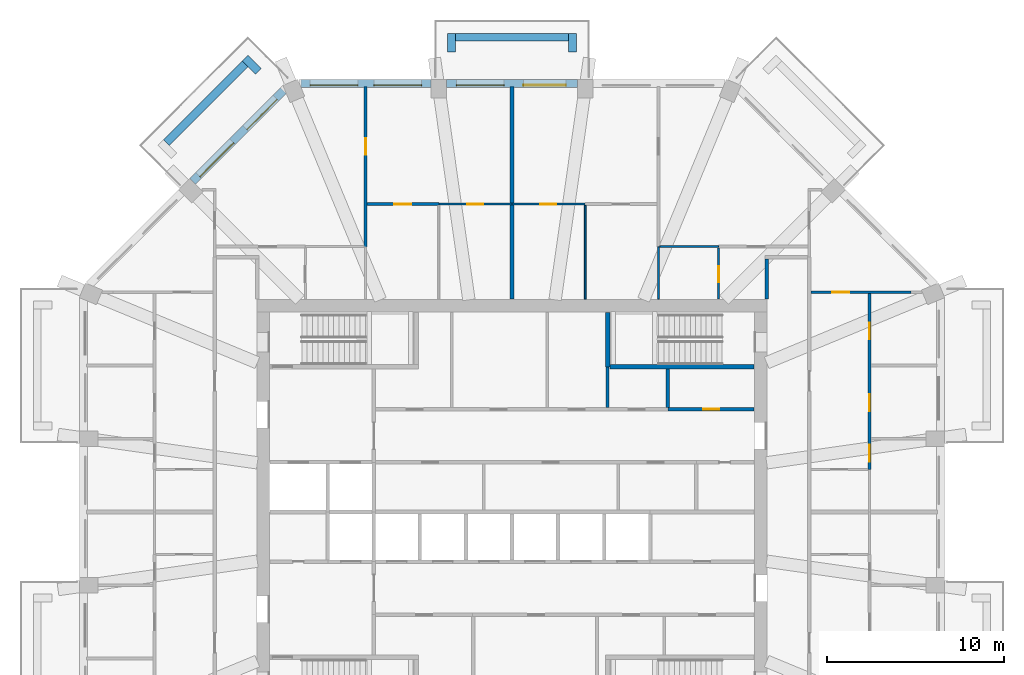
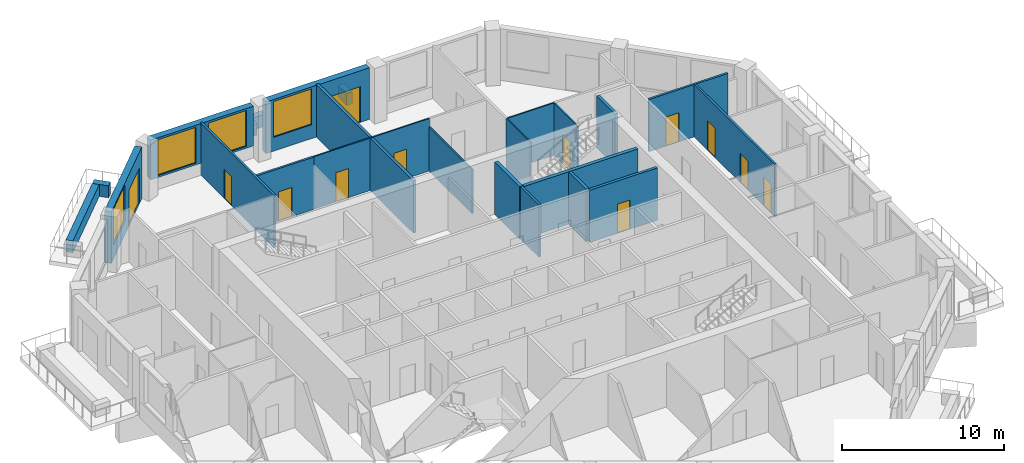
# One storey, part 8 of 12: 25 walls, 12 doors, 4 windows, 16 openings.
"""IFC4 building model written with IfcOpenShell, lengths in metres."""

import ifcopenshell
import ifcopenshell.guid

model = None  # the IFC model being written
_history = None  # IfcOwnerHistory: only IFC2X3 demands one
_inside = {}  # id of a spatial element -> (the spatial element, [elements in it])
_under = {}  # id of a project, library or spatial element -> (it, [spatial elements below it])
_declared = {}  # id of a project -> (the project, [libraries it declares])
_typed = {}  # id of a type object -> (the type object, [elements of that type])
_made_of = {}  # id of a material, layer set ... -> (it, [elements and type objects made of it])


def new_model(schema):
    """Start an empty IFC model of exactly this schema.

    Asked for "IFC4X3", IfcOpenShell would pick the latest addendum, in which some entities
    have other attributes; the version numbers below select the first issue.
    IFC2X3 requires an IfcOwnerHistory on every rooted entity: one is made here for all.
    """
    global model, _history
    if schema == "IFC4X3":
        model = ifcopenshell.file(schema_version=(4, 3, 0, 0))
    else:
        model = ifcopenshell.file(schema=schema)
    _inside.clear()
    _under.clear()
    _declared.clear()
    _typed.clear()
    _made_of.clear()
    _history = None
    if model.schema == "IFC2X3":
        org = make("IfcOrganization", Name="unknown")
        user = make(
            "IfcPersonAndOrganization",
            ThePerson=make("IfcPerson", FamilyName="unknown"),
            TheOrganization=org,
        )
        app = make(
            "IfcApplication",
            ApplicationDeveloper=org,
            Version="unknown",
            ApplicationFullName="unknown",
            ApplicationIdentifier="unknown",
        )
        _history = make(
            "IfcOwnerHistory",
            OwningUser=user,
            OwningApplication=app,
            ChangeAction="ADDED",
            CreationDate=0,
        )
    return model


def make(cls, **values):
    """One entity of the class cls with the attributes given. An attribute that is None is left unset."""
    return model.create_entity(
        cls, **{name: value for name, value in values.items() if value is not None}
    )


def rooted(cls, **values):
    """An entity with a GlobalId (a new one), such as an element, a storey or a relation."""
    return make(cls, GlobalId=ifcopenshell.guid.new(), OwnerHistory=_history, **values)


def si_unit(unit_type, name, prefix=None):
    """IfcSIUnit, for example si_unit("LENGTHUNIT", "METRE", prefix="MILLI")."""
    return make("IfcSIUnit", UnitType=unit_type, Prefix=prefix, Name=name)


def assignment(units):
    """IfcUnitAssignment: the units of a project."""
    return None if units is None else make("IfcUnitAssignment", Units=units)


def point(xyz):
    """IfcCartesianPoint."""
    return None if xyz is None else make("IfcCartesianPoint", Coordinates=xyz)


def direction(xyz):
    """IfcDirection."""
    return None if xyz is None else make("IfcDirection", DirectionRatios=xyz)


def frame(location, z_axis=None, x_axis=None):
    """IfcAxis2Placement3D, a coordinate frame: its origin and axes. An axis left out is left unset."""
    return make(
        "IfcAxis2Placement3D",
        Location=point(location),
        Axis=direction(z_axis),
        RefDirection=direction(x_axis),
    )


def frame_2d(location, x_axis=None):
    """IfcAxis2Placement2D, a coordinate frame in the plane: its origin and x axis."""
    return make(
        "IfcAxis2Placement2D", Location=point(location), RefDirection=direction(x_axis)
    )


def origin():
    """The frame at (0, 0, 0) with its axes left unset."""
    return frame((0.0, 0.0, 0.0))


def place(relative_to, where):
    """IfcLocalPlacement: puts the frame where relative to a parent placement (None: the world)."""
    return make(
        "IfcLocalPlacement", PlacementRelTo=relative_to, RelativePlacement=where
    )


def context(
    kind, dimensions, precision=None, world=None, true_north=None, identifier=None
):
    """IfcGeometricRepresentationContext, for example the 3D "Model" context."""
    return make(
        "IfcGeometricRepresentationContext",
        ContextIdentifier=identifier,
        ContextType=kind,
        CoordinateSpaceDimension=dimensions,
        Precision=precision,
        WorldCoordinateSystem=world,
        TrueNorth=true_north,
    )


def subcontext(parent, identifier, kind, view, scale=None):
    """IfcGeometricRepresentationSubContext, for example "Body" below "Model"."""
    return make(
        "IfcGeometricRepresentationSubContext",
        ContextIdentifier=identifier,
        ContextType=kind,
        ParentContext=parent,
        TargetScale=scale,
        TargetView=view,
    )


def project(units=None, contexts=None):
    """IfcProject with its units and contexts."""
    return rooted(
        "IfcProject",
        Name="project",
        RepresentationContexts=contexts,
        UnitsInContext=assignment(units),
    )


def spatial(cls, under=None, at=None, **own):
    """A site, building, storey or space (cls), placed at a placement, below another one or the project."""
    s = rooted(cls, ObjectPlacement=at, **own)
    if under is not None:
        _under.setdefault(under.id(), (under, []))[1].append(s)
    return s


def profile(cls, at=None, kind="AREA", **sizes):
    """A parametric profile (cls). Its sizes go by their IFC names, for example OverallWidth=200.0."""
    return make(cls, ProfileType=kind, Position=at, **sizes)


def rectangle(**sizes):
    """IfcRectangleProfileDef."""
    return profile("IfcRectangleProfileDef", **sizes)


def extrude(swept, where, along, depth):
    """IfcExtrudedAreaSolid: the profile swept, set in the frame where, extruded along a direction by depth."""
    return make(
        "IfcExtrudedAreaSolid",
        SweptArea=swept,
        Position=where,
        ExtrudedDirection=direction(along),
        Depth=depth,
    )


def shape(context_of_items, identifier, shape_type, items):
    """IfcShapeRepresentation: the items that make up one representation, for example the "Body"."""
    return make(
        "IfcShapeRepresentation",
        ContextOfItems=context_of_items,
        RepresentationIdentifier=identifier,
        RepresentationType=shape_type,
        Items=items,
    )


def material(Name=None, Category=None):
    """IfcMaterial."""
    return make("IfcMaterial", Name=Name, Category=Category)


def layer(
    of_material, thickness, ventilated=None, Name=None, Category=None, Priority=None
):
    """IfcMaterialLayer: one layer of a wall or slab, of a material (None: an air gap)."""
    return make(
        "IfcMaterialLayer",
        Material=of_material,
        LayerThickness=thickness,
        IsVentilated=ventilated,
        Name=Name,
        Category=Category,
        Priority=Priority,
    )


def layer_set(layers, Name=None):
    """IfcMaterialLayerSet."""
    return make("IfcMaterialLayerSet", MaterialLayers=layers, LayerSetName=Name)


def made_of(thing, what):
    """Note that an element or type object is made of a material, layer set ...; save() writes the relation."""
    if what is not None:
        _made_of.setdefault(what.id(), (what, []))[1].append(thing)
    return thing


def type_object(cls, material=None, **own):
    """A type object (cls), such as IfcWallType, which elements share."""
    return made_of(rooted(cls, **own), material)


def element(
    cls,
    number,
    at=None,
    inside=None,
    cuts=None,
    type_object=None,
    material=None,
    context=None,
    identifier="Body",
    shape_type=None,
    held_by="IfcProductDefinitionShape",
    body=None,
    shapes=None,
    **own,
):
    """One element of the class cls, such as IfcWall. Its Tag is "e" and its number.

    at: its placement. inside: the storey or other place that contains it. cuts: it is an
    opening in that element (IfcRelVoidsElement). A single representation is given by context,
    identifier, shape_type and body (its items); several are given by shapes. held_by: the class
    of the entity that holds the representations. save() writes the other relations.
    """
    e = rooted(cls, Tag="e%d" % number, ObjectPlacement=at, **own)
    if body is not None:
        shapes = [shape(context, identifier, shape_type, body)]
    if shapes is not None:
        e.Representation = make(held_by, Representations=shapes)
    if inside is not None:
        _inside.setdefault(inside.id(), (inside, []))[1].append(e)
    if cuts is not None:
        rooted(
            "IfcRelVoidsElement", RelatingBuildingElement=cuts, RelatedOpeningElement=e
        )
    if type_object is not None:
        _typed.setdefault(type_object.id(), (type_object, []))[1].append(e)
    return made_of(e, material)


def fill(opening, filler):
    """IfcRelFillsElement: the door or window that sits in an opening."""
    return rooted(
        "IfcRelFillsElement",
        RelatingOpeningElement=opening,
        RelatedBuildingElement=filler,
    )


def aggregate(whole, parts):
    """IfcRelAggregates: a whole, such as a stair, and the parts it consists of."""
    return rooted("IfcRelAggregates", RelatingObject=whole, RelatedObjects=parts)


def save(model, path):
    """Write the relations noted so far, then the file.

    IfcRelAggregates (storeys below a building ...), IfcRelContainedInSpatialStructure (elements
    in a storey), IfcRelDefinesByType, IfcRelAssociatesMaterial and IfcRelDeclares: one each for
    every whole, place, type object, material and project.
    """
    for whole, parts in _under.values():
        aggregate(whole, parts)
    for where, things in _inside.values():
        rooted(
            "IfcRelContainedInSpatialStructure",
            RelatedElements=things,
            RelatingStructure=where,
        )
    for kind, things in _typed.values():
        rooted("IfcRelDefinesByType", RelatedObjects=things, RelatingType=kind)
    for what, things in _made_of.values():
        rooted("IfcRelAssociatesMaterial", RelatedObjects=things, RelatingMaterial=what)
    for by, libraries in _declared.values():
        rooted("IfcRelDeclares", RelatingContext=by, RelatedDefinitions=libraries)
    model.write(path)


model = new_model("IFC4")

# Units and contexts
model_context = context("Model", 3, precision=1e-05, world=origin(), true_north=direction((0.0, 1.0)))
body_context = subcontext(model_context, "Body", "Model", "MODEL_VIEW")
ifc_project = project(units=[si_unit("LENGTHUNIT", "METRE"), si_unit("AREAUNIT", "SQUARE_METRE"), si_unit("VOLUMEUNIT", "CUBIC_METRE"), si_unit("PLANEANGLEUNIT", "RADIAN"), si_unit("MASSUNIT", "GRAM", prefix="KILO")], contexts=[model_context])

# Site, building, storey
site_placement = place(None, origin())
site = spatial("IfcSite", under=ifc_project, at=site_placement, CompositionType="ELEMENT")
building_placement = place(site_placement, origin())
building = spatial("IfcBuilding", under=site, at=building_placement, Name="Msitu Wima Residences", CompositionType="ELEMENT")
storey_placement = place(building_placement, frame((0.0, 0.0, 162.300048828125)))
storey = spatial("IfcBuildingStorey", under=building, at=storey_placement, Name="L37", CompositionType="ELEMENT", Elevation=162.300048828125)

# Walls
ifc_material_1 = material(Name="Facing brick")
ifc_layer_1 = layer(ifc_material_1, 0.06494140625, Name="Facing brick")
ifc_material_2 = material(Name="Concrete C40/50", Category="concrete")
ifc_layer_2 = layer(ifc_material_2, 0.156005859375, Name="Concrete C40/50")
ifc_material_3 = material(Name="Waterproofing membrane")
ifc_layer_3 = layer(ifc_material_3, 0.00390625, Name="Waterproofing membrane")
ifc_material_4 = material(Name="Planting soil and planting")
ifc_layer_4 = layer(ifc_material_4, 0.22509765625, Name="Planting soil and planting")
ifc_layer_set_1 = layer_set([ifc_layer_1, ifc_layer_2, ifc_layer_3, ifc_layer_4], Name="Concrete C40/50")
wall_type_1 = type_object("IfcWallType", Name="Balcony planter PLANTER PL450", PredefinedType="USERDEFINED", material=ifc_layer_set_1)
wall_1_placement = place(storey_placement, frame((3.187255859375, 26.824951171875, 0.0), z_axis=(0.0, 0.0, 1.0), x_axis=(-1.0, 0.0, 0.0)))
element("IfcWall", 1, at=wall_1_placement, inside=storey, type_object=wall_type_1, Name="Balcony planter N1 L37", ObjectType="PLANTER", PredefinedType="USERDEFINED", context=body_context, shape_type="SweptSolid", body=[
    extrude(rectangle(XDim=6.37451171875, YDim=0.449951171875, at=frame_2d((3.187255859375, 0.0))), origin(), (0.0, 0.0, 1.0), 0.89990234375),
])
for number, where, z_axis, x_axis, name in (
    (2, (3.412353515625, 26.0, 0.0), (0.0, 0.0, 1.0), (0.0, 1.0, 0.0), "Balcony planter N1 L37"),
    (3, (-3.412353515625, 26.0, 0.0), (0.0, 0.0, 1.0), (0.0, 1.0, 0.0), "Balcony planter N1 L37"),
):
    element("IfcWall", number, at=place(storey_placement, frame(where, z_axis=z_axis, x_axis=x_axis)), inside=storey, type_object=wall_type_1, Name=name, ObjectType="PLANTER", PredefinedType="USERDEFINED", context=body_context, shape_type="SweptSolid", body=[
        extrude(rectangle(XDim=1.050048828125, YDim=0.449951171875, at=frame_2d((0.52490234375, 0.0))), origin(), (0.0, 0.0, 1.0), 0.89990234375),
    ])
wall_2_placement = place(storey_placement, frame((-15.0810546875, 25.325927734375, 0.0), z_axis=(0.0, 0.0, 1.0), x_axis=(-0.707106781187, -0.707106781187, 0.0)))
element("IfcWall", 4, at=wall_2_placement, inside=storey, type_object=wall_type_1, Name="Balcony planter NW0 L37", ObjectType="PLANTER", PredefinedType="USERDEFINED", context=body_context, shape_type="SweptSolid", body=[
    extrude(rectangle(XDim=6.294189453125, YDim=0.449951171875, at=frame_2d((3.14697265625, 0.0))), origin(), (0.0, 0.0, 1.0), 0.89990234375),
])
wall_3_placement = place(storey_placement, frame((-14.338623046875, 24.901611328125, 0.0), z_axis=(0.0, 0.0, 1.0), x_axis=(-0.707106781187, 0.707106781187, 0.0)))
element("IfcWall", 5, at=wall_3_placement, inside=storey, type_object=wall_type_1, Name="Balcony planter NW0 L37", ObjectType="PLANTER", PredefinedType="USERDEFINED", context=body_context, shape_type="SweptSolid", body=[
    extrude(rectangle(XDim=1.050048828125, YDim=0.449951171875, at=frame_2d((0.52490234375, 0.0))), origin(), (0.0, 0.0, 1.0), 0.89990234375),
])

# Wall, openings, door, window
ifc_material_5 = material(Name="Brick (red buff mix)", Category="masonry")
ifc_layer_5 = layer(ifc_material_5, 0.449951171875)
ifc_layer_set_2 = layer_set([ifc_layer_5], Name="Brick (red buff mix)")
wall_type_2 = type_object("IfcWallType", Name="Brick infill wall BW450", PredefinedType="SOLIDWALL", material=ifc_layer_set_2)
wall_4_placement = place(storey_placement, frame((3.687255859375, 24.22509765625, 0.0), z_axis=(0.0, 0.0, 1.0), x_axis=(-1.0, 0.0, 0.0)))
wall_4 = element("IfcWall", 6, at=wall_4_placement, inside=storey, type_object=wall_type_2, Name="Brick infill wall L37 N1", PredefinedType="SOLIDWALL", context=body_context, shape_type="SweptSolid", body=[
    extrude(rectangle(XDim=7.37451171875, YDim=0.449951171875, at=frame_2d((3.687255859375, 0.0))), origin(), (0.0, 0.0, 1.0), 3.89990234375),
])
opening_1_placement = place(wall_4_placement, frame((0.6435546875, 0.0, 0.0)))
opening_1 = element("IfcOpeningElement", 7, at=opening_1_placement, cuts=wall_4, Name="Opening D37.003", PredefinedType="OPENING", context=body_context, shape_type="SweptSolid", body=[
    extrude(rectangle(XDim=2.39990234375, YDim=2.699951171875, at=frame_2d((1.199951171875, 1.35009765625))), frame((0.0, 0.23486328125, 0.0), z_axis=(0.0, -1.0, 0.0), x_axis=(1.0, 0.0, 0.0)), (0.0, 0.0, 1.0), 0.469970703125),
])
opening_2_placement = place(wall_4_placement, frame((4.13720703125, 0.0, 1.050048828125)))
opening_2 = element("IfcOpeningElement", 8, at=opening_2_placement, cuts=wall_4, Name="Opening W37.007", PredefinedType="OPENING", context=body_context, shape_type="SweptSolid", body=[
    extrude(rectangle(XDim=2.699951171875, YDim=2.699951171875, at=frame_2d((1.35009765625, 1.35009765625))), frame((0.0, 0.23486328125, 0.0), z_axis=(0.0, -1.0, 0.0), x_axis=(1.0, 0.0, 0.0)), (0.0, 0.0, 1.0), 0.469970703125),
])
ifc_material_6 = material(Name="Anodised aluminium, bronze finish, clear low-emissivity double glazing", Category="aluminium")
door_type_1 = type_object("IfcDoorType", Name="Balcony door D2400x2700", OperationType="SLIDING_TO_LEFT", PredefinedType="DOOR", material=ifc_material_6)
door_1_placement = place(opening_1_placement, origin())
door_1 = element("IfcDoor", 9, at=door_1_placement, inside=storey, type_object=door_type_1, Name="Balcony door L37 N1", OperationType="SINGLE_SWING_LEFT", OverallHeight=2.699951171875, OverallWidth=2.39990234375, PredefinedType="DOOR", context=body_context, shape_type="SweptSolid", body=[
    extrude(rectangle(XDim=2.39990234375, YDim=2.699951171875, at=frame_2d((1.199951171875, 1.35009765625))), frame((0.0, 0.1298828125, 0.0), z_axis=(0.0, -1.0, 0.0), x_axis=(1.0, 0.0, 0.0)), (0.0, 0.0, 1.0), 0.050048828125),
])
fill(opening_1, door_1)
window_type = type_object("IfcWindowType", Name="Window W2700x2700", PartitioningType="DOUBLE_PANEL_VERTICAL", PredefinedType="WINDOW", material=ifc_material_6)
window_1_placement = place(opening_2_placement, origin())
window_1 = element("IfcWindow", 10, at=window_1_placement, inside=storey, type_object=window_type, Name="Window L37 N1.2", OverallHeight=2.699951171875, OverallWidth=2.699951171875, PartitioningType="SINGLE_PANEL", PredefinedType="WINDOW", context=body_context, shape_type="SweptSolid", body=[
    extrude(rectangle(XDim=2.699951171875, YDim=2.699951171875, at=frame_2d((1.35009765625, 1.35009765625))), frame((0.0, 0.135009765625, 0.0), z_axis=(0.0, -1.0, 0.0), x_axis=(1.0, 0.0, 0.0)), (0.0, 0.0, 1.0), 0.06005859375),
])
fill(opening_2, window_1)

# Wall, openings, windows
wall_5_placement = place(storey_placement, frame((-4.587158203125, 24.22509765625, 0.89990234375), z_axis=(0.0, 0.0, 1.0), x_axis=(-1.0, 0.0, 0.0)))
wall_5 = element("IfcWall", 11, at=wall_5_placement, inside=storey, type_object=wall_type_2, Name="Brick infill wall L37 N2", PredefinedType="SOLIDWALL", context=body_context, shape_type="SweptSolid", body=[
    extrude(rectangle(XDim=7.337646484375, YDim=0.449951171875, at=frame_2d((3.6689453125, 0.0))), origin(), (0.0, 0.0, 1.0), 3.0),
])
opening_3_placement = place(wall_5_placement, frame((0.518798828125, 0.0, 0.14990234375)))
opening_3 = element("IfcOpeningElement", 12, at=opening_3_placement, cuts=wall_5, Name="Opening W37.008", PredefinedType="OPENING", context=body_context, shape_type="SweptSolid", body=[
    extrude(rectangle(XDim=2.699951171875, YDim=2.699951171875, at=frame_2d((1.35009765625, 1.35009765625))), frame((0.0, 0.23486328125, 0.0), z_axis=(0.0, -1.0, 0.0), x_axis=(1.0, 0.0, 0.0)), (0.0, 0.0, 1.0), 0.469970703125),
])
opening_4_placement = place(wall_5_placement, frame((4.11865234375, 0.0, 0.14990234375)))
opening_4 = element("IfcOpeningElement", 13, at=opening_4_placement, cuts=wall_5, Name="Opening W37.009", PredefinedType="OPENING", context=body_context, shape_type="SweptSolid", body=[
    extrude(rectangle(XDim=2.699951171875, YDim=2.699951171875, at=frame_2d((1.35009765625, 1.35009765625))), frame((0.0, 0.23486328125, 0.0), z_axis=(0.0, -1.0, 0.0), x_axis=(1.0, 0.0, 0.0)), (0.0, 0.0, 1.0), 0.469970703125),
])
window_2_placement = place(opening_3_placement, origin())
window_2 = element("IfcWindow", 14, at=window_2_placement, inside=storey, type_object=window_type, Name="Window L37 N2.1", OverallHeight=2.699951171875, OverallWidth=2.699951171875, PartitioningType="SINGLE_PANEL", PredefinedType="WINDOW", context=body_context, shape_type="SweptSolid", body=[
    extrude(rectangle(XDim=2.699951171875, YDim=2.699951171875, at=frame_2d((1.35009765625, 1.35009765625))), frame((0.0, 0.135009765625, 0.0), z_axis=(0.0, -1.0, 0.0), x_axis=(1.0, 0.0, 0.0)), (0.0, 0.0, 1.0), 0.06005859375),
])
fill(opening_3, window_2)
window_3_placement = place(opening_4_placement, origin())
window_3 = element("IfcWindow", 15, at=window_3_placement, inside=storey, type_object=window_type, Name="Window L37 N2.2", OverallHeight=2.699951171875, OverallWidth=2.699951171875, PartitioningType="SINGLE_PANEL", PredefinedType="WINDOW", context=body_context, shape_type="SweptSolid", body=[
    extrude(rectangle(XDim=2.699951171875, YDim=2.699951171875, at=frame_2d((1.35009765625, 1.35009765625))), frame((0.0, 0.135009765625, 0.0), z_axis=(0.0, -1.0, 0.0), x_axis=(1.0, 0.0, 0.0)), (0.0, 0.0, 1.0), 0.06005859375),
])
fill(opening_4, window_3)

# Wall, openings, door, window
wall_6_placement = place(storey_placement, frame((-12.915283203125, 23.814697265625, 0.0), z_axis=(0.0, 0.0, 1.0), x_axis=(-0.707106781187, -0.707106781187, 0.0)))
wall_6 = element("IfcWall", 16, at=wall_6_placement, inside=storey, type_object=wall_type_2, Name="Brick infill wall L37 NW0", PredefinedType="SOLIDWALL", context=body_context, shape_type="SweptSolid", body=[
    extrude(rectangle(XDim=7.257080078125, YDim=0.449951171875, at=frame_2d((3.62841796875, 0.0))), origin(), (0.0, 0.0, 1.0), 3.89990234375),
])
opening_5_placement = place(wall_6_placement, frame((0.6142578125, 0.0, 0.0)))
opening_5 = element("IfcOpeningElement", 17, at=opening_5_placement, cuts=wall_6, Name="Opening D37.005", PredefinedType="OPENING", context=body_context, shape_type="SweptSolid", body=[
    extrude(rectangle(XDim=2.39990234375, YDim=2.699951171875, at=frame_2d((1.199951171875, 1.35009765625))), frame((0.0, 0.23486328125, 0.0), z_axis=(0.0, -1.0, 0.0), x_axis=(1.0, 0.0, 0.0)), (0.0, 0.0, 1.0), 0.469970703125),
])
opening_6_placement = place(wall_6_placement, frame((4.07861328125, 0.0, 1.050048828125)))
opening_6 = element("IfcOpeningElement", 18, at=opening_6_placement, cuts=wall_6, Name="Opening W37.013", PredefinedType="OPENING", context=body_context, shape_type="SweptSolid", body=[
    extrude(rectangle(XDim=2.699951171875, YDim=2.699951171875, at=frame_2d((1.35009765625, 1.35009765625))), frame((0.0, 0.23486328125, 0.0), z_axis=(0.0, -1.0, 0.0), x_axis=(1.0, 0.0, 0.0)), (0.0, 0.0, 1.0), 0.469970703125),
])
door_2_placement = place(opening_5_placement, origin())
door_2 = element("IfcDoor", 19, at=door_2_placement, inside=storey, type_object=door_type_1, Name="Balcony door L37 NW0", OperationType="SINGLE_SWING_LEFT", OverallHeight=2.699951171875, OverallWidth=2.39990234375, PredefinedType="DOOR", context=body_context, shape_type="SweptSolid", body=[
    extrude(rectangle(XDim=2.39990234375, YDim=2.699951171875, at=frame_2d((1.199951171875, 1.35009765625))), frame((0.0, 0.1298828125, 0.0), z_axis=(0.0, -1.0, 0.0), x_axis=(1.0, 0.0, 0.0)), (0.0, 0.0, 1.0), 0.050048828125),
])
fill(opening_5, door_2)
window_4_placement = place(opening_6_placement, origin())
window_4 = element("IfcWindow", 20, at=window_4_placement, inside=storey, type_object=window_type, Name="Window L37 NW0.2", OverallHeight=2.699951171875, OverallWidth=2.699951171875, PartitioningType="SINGLE_PANEL", PredefinedType="WINDOW", context=body_context, shape_type="SweptSolid", body=[
    extrude(rectangle(XDim=2.699951171875, YDim=2.699951171875, at=frame_2d((1.35009765625, 1.35009765625))), frame((0.0, 0.135009765625, 0.0), z_axis=(0.0, -1.0, 0.0), x_axis=(1.0, 0.0, 0.0)), (0.0, 0.0, 1.0), 0.06005859375),
])
fill(opening_6, window_4)

# Wall
ifc_material_7 = material(Name="Plaster")
ifc_layer_6 = layer(ifc_material_7, 0.011962890625, Name="Plaster")
ifc_material_8 = material(Name="Concrete blockwork", Category="masonry")
ifc_layer_7 = layer(ifc_material_8, 0.176025390625, Name="Concrete blockwork")
ifc_layer_8 = layer(ifc_material_7, 0.011962890625, Name="Plaster")
ifc_layer_set_3 = layer_set([ifc_layer_6, ifc_layer_7, ifc_layer_8], Name="Concrete blockwork")
wall_type_3 = type_object("IfcWallType", Name="Corridor wall FW200", PredefinedType="PARTITIONING", material=ifc_layer_set_3)
wall_7_placement = place(storey_placement, frame((14.39990234375, 12.030029296875, 0.0), z_axis=(0.0, 0.0, 1.0), x_axis=(0.0, 1.0, 0.0)))
element("IfcWall", 21, at=wall_7_placement, inside=storey, type_object=wall_type_3, Name="Corridor wall", PredefinedType="PARTITIONING", context=body_context, shape_type="SweptSolid", body=[
    extrude(rectangle(XDim=2.27001953125, YDim=0.199951171875, at=frame_2d((1.135009765625, 0.0))), origin(), (0.0, 0.0, 1.0), 3.949951171875),
])

# Wall, opening, door
ifc_layer_9 = layer(ifc_material_7, 0.011962890625, Name="Plaster")
ifc_layer_10 = layer(ifc_material_8, 0.1259765625, Name="Concrete blockwork")
ifc_layer_11 = layer(ifc_material_7, 0.011962890625, Name="Plaster")
ifc_layer_set_4 = layer_set([ifc_layer_9, ifc_layer_10, ifc_layer_11], Name="Concrete blockwork")
wall_type_4 = type_object("IfcWallType", Name="Partition PW150", PredefinedType="PARTITIONING", material=ifc_layer_set_4)
wall_8_placement = place(storey_placement, frame((-8.2744140625, 14.97998046875, 0.0), z_axis=(0.0, 0.0, 1.0), x_axis=(0.0, 1.0, 0.0)))
wall_8 = element("IfcWall", 22, at=wall_8_placement, inside=storey, type_object=wall_type_4, Name="Partition", PredefinedType="PARTITIONING", context=body_context, shape_type="SweptSolid", body=[
    extrude(rectangle(XDim=9.074951171875, YDim=0.14990234375, at=frame_2d((4.53759765625, 0.0))), origin(), (0.0, 0.0, 1.0), 3.949951171875),
])
opening_7_placement = place(wall_8_placement, frame((5.199951171875, 0.0, 0.0)))
opening_7 = element("IfcOpeningElement", 23, at=opening_7_placement, cuts=wall_8, Name="Opening D37.032", PredefinedType="OPENING", context=body_context, shape_type="SweptSolid", body=[
    extrude(rectangle(XDim=0.949951171875, YDim=2.199951171875, at=frame_2d((0.47509765625, 1.10009765625))), frame((0.0, 0.0849609375, 0.0), z_axis=(0.0, -1.0, 0.0), x_axis=(1.0, 0.0, 0.0)), (0.0, 0.0, 1.0), 0.169921875),
])
ifc_material_9 = material(Name="Timber flush door", Category="wood")
door_type_2 = type_object("IfcDoorType", Name="Room door D12 950x2200", OperationType="SINGLE_SWING_LEFT", PredefinedType="DOOR", material=ifc_material_9)
door_3_placement = place(opening_7_placement, origin())
door_3 = element("IfcDoor", 24, at=door_3_placement, inside=storey, type_object=door_type_2, Name="Room door", OperationType="SINGLE_SWING_RIGHT", OverallHeight=2.199951171875, OverallWidth=0.949951171875, PredefinedType="DOOR", context=body_context, shape_type="SweptSolid", body=[
    extrude(rectangle(XDim=0.949951171875, YDim=2.199951171875, at=frame_2d((0.47509765625, 1.10009765625))), frame((0.0, 0.02490234375, 0.0), z_axis=(0.0, -1.0, 0.0), x_axis=(1.0, 0.0, 0.0)), (0.0, 0.0, 1.0), 0.050048828125),
])
fill(opening_7, door_3)

wall_9_placement = place(storey_placement, frame((-8.199462890625, 17.39990234375, 0.0), z_axis=(0.0, 0.0, 1.0), x_axis=(1.0, 0.0, 0.0)))
wall_9 = element("IfcWall", 25, at=wall_9_placement, inside=storey, type_object=wall_type_4, Name="Partition", PredefinedType="PARTITIONING", context=body_context, shape_type="SweptSolid", body=[
    extrude(rectangle(XDim=4.062255859375, YDim=0.14990234375, at=frame_2d((2.03125, 0.0))), origin(), (0.0, 0.0, 1.0), 3.949951171875),
])
opening_8_placement = place(wall_9_placement, frame((1.550048828125, 0.0, 0.0)))
opening_8 = element("IfcOpeningElement", 26, at=opening_8_placement, cuts=wall_9, Name="Opening D37.025", PredefinedType="OPENING", context=body_context, shape_type="SweptSolid", body=[
    extrude(rectangle(XDim=0.949951171875, YDim=2.199951171875, at=frame_2d((0.47509765625, 1.10009765625))), frame((0.0, 0.0849609375, 0.0), z_axis=(0.0, -1.0, 0.0), x_axis=(1.0, 0.0, 0.0)), (0.0, 0.0, 1.0), 0.169921875),
])
door_4_placement = place(opening_8_placement, origin())
door_4 = element("IfcDoor", 27, at=door_4_placement, inside=storey, type_object=door_type_2, Name="Room door", OperationType="SINGLE_SWING_LEFT", OverallHeight=2.199951171875, OverallWidth=0.949951171875, PredefinedType="DOOR", context=body_context, shape_type="SweptSolid", body=[
    extrude(rectangle(XDim=0.949951171875, YDim=2.199951171875, at=frame_2d((0.47509765625, 1.10009765625))), frame((0.0, 0.02490234375, 0.0), z_axis=(0.0, -1.0, 0.0), x_axis=(1.0, 0.0, 0.0)), (0.0, 0.0, 1.0), 0.050048828125),
])
fill(opening_8, door_4)

# Wall
wall_10_placement = place(storey_placement, frame((5.39990234375, 5.89990234375, 0.0), z_axis=(0.0, 0.0, 1.0), x_axis=(0.0, 1.0, 0.0)))
element("IfcWall", 28, at=wall_10_placement, inside=storey, type_object=wall_type_4, Name="Partition", PredefinedType="PARTITIONING", context=body_context, shape_type="SweptSolid", body=[
    extrude(rectangle(XDim=2.300048828125, YDim=0.14990234375, at=frame_2d((1.14990234375, 0.0))), origin(), (0.0, 0.0, 1.0), 3.949951171875),
])

# Wall, opening, door
wall_11_placement = place(storey_placement, frame((16.89990234375, 12.411865234375, 0.0), z_axis=(0.0, 0.0, 1.0), x_axis=(1.0, 0.0, 0.0)))
wall_11 = element("IfcWall", 29, at=wall_11_placement, inside=storey, type_object=wall_type_4, Name="Partition", PredefinedType="PARTITIONING", context=body_context, shape_type="SweptSolid", body=[
    extrude(rectangle(XDim=5.638427734375, YDim=0.14990234375, at=frame_2d((2.8193359375, 0.0))), origin(), (0.0, 0.0, 1.0), 3.949951171875),
])
opening_9_placement = place(wall_11_placement, frame((1.199951171875, 0.0, 0.0)))
opening_9 = element("IfcOpeningElement", 30, at=opening_9_placement, cuts=wall_11, Name="Opening D37.018", PredefinedType="OPENING", context=body_context, shape_type="SweptSolid", body=[
    extrude(rectangle(XDim=0.949951171875, YDim=2.199951171875, at=frame_2d((0.47509765625, 1.10009765625))), frame((0.0, 0.0849609375, 0.0), z_axis=(0.0, -1.0, 0.0), x_axis=(1.0, 0.0, 0.0)), (0.0, 0.0, 1.0), 0.169921875),
])
door_5_placement = place(opening_9_placement, origin())
door_5 = element("IfcDoor", 31, at=door_5_placement, inside=storey, type_object=door_type_2, Name="Room door", OperationType="SINGLE_SWING_LEFT", OverallHeight=2.199951171875, OverallWidth=0.949951171875, PredefinedType="DOOR", context=body_context, shape_type="SweptSolid", body=[
    extrude(rectangle(XDim=0.949951171875, YDim=2.199951171875, at=frame_2d((0.47509765625, 1.10009765625))), frame((0.0, 0.02490234375, 0.0), z_axis=(0.0, -1.0, 0.0), x_axis=(1.0, 0.0, 0.0)), (0.0, 0.0, 1.0), 0.050048828125),
])
fill(opening_9, door_5)

# Wall, openings, doors
wall_12_placement = place(storey_placement, frame((20.199951171875, 2.39990234375, 0.0), z_axis=(0.0, 0.0, 1.0), x_axis=(0.0, 1.0, 0.0)))
wall_12 = element("IfcWall", 32, at=wall_12_placement, inside=storey, type_object=wall_type_4, Name="Partition", PredefinedType="PARTITIONING", context=body_context, shape_type="SweptSolid", body=[
    extrude(rectangle(XDim=9.936767578125, YDim=0.14990234375, at=frame_2d((4.96826171875, 0.0))), origin(), (0.0, 0.0, 1.0), 3.949951171875),
])
opening_10_placement = place(wall_12_placement, frame((0.449951171875, 0.0, 0.0)))
opening_10 = element("IfcOpeningElement", 33, at=opening_10_placement, cuts=wall_12, Name="Opening D37.015", PredefinedType="OPENING", context=body_context, shape_type="SweptSolid", body=[
    extrude(rectangle(XDim=0.949951171875, YDim=2.199951171875, at=frame_2d((0.47509765625, 1.10009765625))), frame((0.0, 0.0849609375, 0.0), z_axis=(0.0, -1.0, 0.0), x_axis=(1.0, 0.0, 0.0)), (0.0, 0.0, 1.0), 0.169921875),
])
opening_11_placement = place(wall_12_placement, frame((3.300048828125, 0.0, 0.0)))
opening_11 = element("IfcOpeningElement", 34, at=opening_11_placement, cuts=wall_12, Name="Opening D37.016", PredefinedType="OPENING", context=body_context, shape_type="SweptSolid", body=[
    extrude(rectangle(XDim=0.949951171875, YDim=2.199951171875, at=frame_2d((0.47509765625, 1.10009765625))), frame((0.0, 0.0849609375, 0.0), z_axis=(0.0, -1.0, 0.0), x_axis=(1.0, 0.0, 0.0)), (0.0, 0.0, 1.0), 0.169921875),
])
opening_12_placement = place(wall_12_placement, frame((7.35009765625, 0.0, 0.0)))
opening_12 = element("IfcOpeningElement", 35, at=opening_12_placement, cuts=wall_12, Name="Opening D37.017", PredefinedType="OPENING", context=body_context, shape_type="SweptSolid", body=[
    extrude(rectangle(XDim=0.949951171875, YDim=2.199951171875, at=frame_2d((0.47509765625, 1.10009765625))), frame((0.0, 0.0849609375, 0.0), z_axis=(0.0, -1.0, 0.0), x_axis=(1.0, 0.0, 0.0)), (0.0, 0.0, 1.0), 0.169921875),
])
door_6_placement = place(opening_10_placement, origin())
door_6 = element("IfcDoor", 36, at=door_6_placement, inside=storey, type_object=door_type_2, Name="Room door", OperationType="SINGLE_SWING_LEFT", OverallHeight=2.199951171875, OverallWidth=0.949951171875, PredefinedType="DOOR", context=body_context, shape_type="SweptSolid", body=[
    extrude(rectangle(XDim=0.949951171875, YDim=2.199951171875, at=frame_2d((0.47509765625, 1.10009765625))), frame((0.0, 0.02490234375, 0.0), z_axis=(0.0, -1.0, 0.0), x_axis=(1.0, 0.0, 0.0)), (0.0, 0.0, 1.0), 0.050048828125),
])
fill(opening_10, door_6)
door_7_placement = place(opening_11_placement, origin())
door_7 = element("IfcDoor", 37, at=door_7_placement, inside=storey, type_object=door_type_2, Name="Room door", OperationType="SINGLE_SWING_RIGHT", OverallHeight=2.199951171875, OverallWidth=0.949951171875, PredefinedType="DOOR", context=body_context, shape_type="SweptSolid", body=[
    extrude(rectangle(XDim=0.949951171875, YDim=2.199951171875, at=frame_2d((0.47509765625, 1.10009765625))), frame((0.0, 0.02490234375, 0.0), z_axis=(0.0, -1.0, 0.0), x_axis=(1.0, 0.0, 0.0)), (0.0, 0.0, 1.0), 0.050048828125),
])
fill(opening_11, door_7)
door_8_placement = place(opening_12_placement, origin())
door_8 = element("IfcDoor", 38, at=door_8_placement, inside=storey, type_object=door_type_2, Name="Room door", OperationType="SINGLE_SWING_RIGHT", OverallHeight=2.199951171875, OverallWidth=0.949951171875, PredefinedType="DOOR", context=body_context, shape_type="SweptSolid", body=[
    extrude(rectangle(XDim=0.949951171875, YDim=2.199951171875, at=frame_2d((0.47509765625, 1.10009765625))), frame((0.0, 0.02490234375, 0.0), z_axis=(0.0, -1.0, 0.0), x_axis=(1.0, 0.0, 0.0)), (0.0, 0.0, 1.0), 0.050048828125),
])
fill(opening_12, door_8)

# Wall
ifc_layer_12 = layer(ifc_material_7, 0.011962890625, Name="Plaster")
ifc_material_10 = material(Name="Dense concrete blockwork", Category="masonry")
ifc_layer_13 = layer(ifc_material_10, 0.176025390625, Name="Dense concrete blockwork")
ifc_layer_14 = layer(ifc_material_7, 0.011962890625, Name="Plaster")
ifc_layer_set_5 = layer_set([ifc_layer_12, ifc_layer_13, ifc_layer_14], Name="Dense concrete blockwork")
wall_type_5 = type_object("IfcWallType", Name="Party wall PW200", PredefinedType="PARTITIONING", material=ifc_layer_set_5)
wall_13_placement = place(storey_placement, frame((0.0, 12.030029296875, 0.0), z_axis=(0.0, 0.0, 1.0), x_axis=(0.0, 1.0, 0.0)))
element("IfcWall", 39, at=wall_13_placement, inside=storey, type_object=wall_type_5, Name="Party wall", PredefinedType="PARTITIONING", context=body_context, shape_type="SweptSolid", body=[
    extrude(rectangle(XDim=12.02490234375, YDim=0.199951171875, at=frame_2d((6.012451171875, 0.0))), origin(), (0.0, 0.0, 1.0), 3.949951171875),
])

# Wall, opening, door
ifc_layer_15 = layer(ifc_material_7, 0.011962890625, Name="Plaster")
ifc_material_11 = material(Name="Reinforced concrete blockwork", Category="masonry")
ifc_layer_16 = layer(ifc_material_11, 0.176025390625, Name="Reinforced concrete blockwork")
ifc_layer_17 = layer(ifc_material_7, 0.011962890625, Name="Plaster")
ifc_layer_set_6 = layer_set([ifc_layer_15, ifc_layer_16, ifc_layer_17], Name="Reinforced concrete blockwork")
wall_type_6 = type_object("IfcWallType", Name="Plant and riser wall PL200", PredefinedType="PARTITIONING", material=ifc_layer_set_6)
wall_14_placement = place(storey_placement, frame((8.820068359375, 5.800048828125, 0.0), z_axis=(0.0, 0.0, 1.0), x_axis=(1.0, 0.0, 0.0)))
wall_14 = element("IfcWall", 40, at=wall_14_placement, inside=storey, type_object=wall_type_6, Name="Plant and riser wall", PredefinedType="PARTITIONING", context=body_context, shape_type="SweptSolid", body=[
    extrude(rectangle(XDim=4.849853515625, YDim=0.199951171875, at=frame_2d((2.4248046875, 0.0))), origin(), (0.0, 0.0, 1.0), 3.949951171875),
])
opening_13_placement = place(wall_14_placement, frame((2.0, 0.0, 0.0)))
opening_13 = element("IfcOpeningElement", 41, at=opening_13_placement, cuts=wall_14, Name="Opening D37.068", PredefinedType="OPENING", context=body_context, shape_type="SweptSolid", body=[
    extrude(rectangle(XDim=0.89990234375, YDim=2.199951171875, at=frame_2d((0.449951171875, 1.10009765625))), frame((0.0, 0.10986328125, 0.0), z_axis=(0.0, -1.0, 0.0), x_axis=(1.0, 0.0, 0.0)), (0.0, 0.0, 1.0), 0.219970703125),
])
door_type_3 = type_object("IfcDoorType", Name="Service door D05 900x2200", OperationType="SINGLE_SWING_LEFT", PredefinedType="DOOR", material=ifc_material_9)
door_9_placement = place(opening_13_placement, origin())
door_9 = element("IfcDoor", 42, at=door_9_placement, inside=storey, type_object=door_type_3, Name="Service door", OperationType="SINGLE_SWING_LEFT", OverallHeight=2.199951171875, OverallWidth=0.89990234375, PredefinedType="DOOR", context=body_context, shape_type="SweptSolid", body=[
    extrude(rectangle(XDim=0.89990234375, YDim=2.199951171875, at=frame_2d((0.449951171875, 1.10009765625))), frame((0.0, 0.02490234375, 0.0), z_axis=(0.0, -1.0, 0.0), x_axis=(1.0, 0.0, 0.0)), (0.0, 0.0, 1.0), 0.050048828125),
])
fill(opening_13, door_9)

# Walls
wall_15_placement = place(storey_placement, frame((8.800048828125, 5.89990234375, 0.0), z_axis=(0.0, 0.0, 1.0), x_axis=(0.0, 1.0, 0.0)))
element("IfcWall", 43, at=wall_15_placement, inside=storey, type_object=wall_type_6, Name="Plant and riser wall", PredefinedType="PARTITIONING", context=body_context, shape_type="SweptSolid", body=[
    extrude(rectangle(XDim=2.175048828125, YDim=0.199951171875, at=frame_2d((1.08740234375, 0.0))), origin(), (0.0, 0.0, 1.0), 3.949951171875),
])
ifc_material_12 = material(Name="Concrete C50/60", Category="concrete")
ifc_layer_18 = layer(ifc_material_12, 0.25)
ifc_layer_set_7 = layer_set([ifc_layer_18], Name="Concrete C50/60")
wall_type_7 = type_object("IfcWallType", Name="Stair enclosure wall SW250", PredefinedType="SHEAR", material=ifc_layer_set_7)
wall_16_placement = place(storey_placement, frame((5.39990234375, 8.199951171875, 0.0), z_axis=(0.0, 0.0, 1.0), x_axis=(0.0, 1.0, 0.0)))
element("IfcWall", 44, at=wall_16_placement, inside=storey, type_object=wall_type_7, Name="Stair enclosure wall", PredefinedType="SHEAR", context=body_context, shape_type="SweptSolid", body=[
    extrude(rectangle(XDim=3.070068359375, YDim=0.25, at=frame_2d((1.53515625, 0.0))), origin(), (0.0, 0.0, 1.0), 3.949951171875),
])
wall_17_placement = place(storey_placement, frame((5.52490234375, 8.199951171875, 0.0), z_axis=(0.0, 0.0, 1.0), x_axis=(1.0, 0.0, 0.0)))
element("IfcWall", 45, at=wall_17_placement, inside=storey, type_object=wall_type_7, Name="Stair enclosure wall", PredefinedType="SHEAR", context=body_context, shape_type="SweptSolid", body=[
    extrude(rectangle(XDim=8.14501953125, YDim=0.25, at=frame_2d((4.072509765625, 0.0))), origin(), (0.0, 0.0, 1.0), 3.949951171875),
])

# Wall, opening, door
ifc_material_13 = material(Name="Ceramic tiles")
ifc_layer_19 = layer(ifc_material_13, 0.008056640625, Name="Ceramic tiles")
ifc_material_14 = material(Name="Moisture-resistant board")
ifc_layer_20 = layer(ifc_material_14, 0.012451171875, Name="Moisture-resistant board")
ifc_material_15 = material(Name="Light-gauge stud framing with mineral wool")
ifc_layer_21 = layer(ifc_material_15, 0.06689453125, Name="Light-gauge stud framing with mineral wool")
ifc_layer_22 = layer(ifc_material_14, 0.012451171875, Name="Moisture-resistant board")
ifc_layer_set_8 = layer_set([ifc_layer_19, ifc_layer_20, ifc_layer_21, ifc_layer_22], Name="Light-gauge stud framing with mineral wool")
wall_type_8 = type_object("IfcWallType", Name="Wet wall PW100", PredefinedType="PARTITIONING", material=ifc_layer_set_8)
wall_18_placement = place(storey_placement, frame((-4.13720703125, 17.39990234375, 0.0), z_axis=(0.0, 0.0, 1.0), x_axis=(1.0, 0.0, 0.0)))
wall_18 = element("IfcWall", 46, at=wall_18_placement, inside=storey, type_object=wall_type_8, Name="Wet wall", PredefinedType="PARTITIONING", context=body_context, shape_type="SweptSolid", body=[
    extrude(rectangle(XDim=4.13720703125, YDim=0.10009765625, at=frame_2d((2.068603515625, 0.0))), origin(), (0.0, 0.0, 1.0), 3.949951171875),
])
opening_14_placement = place(wall_18_placement, frame((1.60009765625, 0.0, 0.0)))
opening_14 = element("IfcOpeningElement", 47, at=opening_14_placement, cuts=wall_18, Name="Opening D37.034", PredefinedType="OPENING", context=body_context, shape_type="SweptSolid", body=[
    extrude(rectangle(XDim=0.89990234375, YDim=2.199951171875, at=frame_2d((0.449951171875, 1.10009765625))), frame((0.0, 0.06005859375, 0.0), z_axis=(0.0, -1.0, 0.0), x_axis=(1.0, 0.0, 0.0)), (0.0, 0.0, 1.0), 0.1201171875),
])
ifc_material_16 = material(Name="Timber flush door, moisture resistant", Category="wood")
door_type_4 = type_object("IfcDoorType", Name="Bathroom door D03 900x2200", OperationType="SINGLE_SWING_LEFT", PredefinedType="DOOR", material=ifc_material_16)
door_10_placement = place(opening_14_placement, origin())
door_10 = element("IfcDoor", 48, at=door_10_placement, inside=storey, type_object=door_type_4, Name="Bathroom door", OperationType="SINGLE_SWING_LEFT", OverallHeight=2.199951171875, OverallWidth=0.89990234375, PredefinedType="DOOR", context=body_context, shape_type="SweptSolid", body=[
    extrude(rectangle(XDim=0.89990234375, YDim=2.199951171875, at=frame_2d((0.449951171875, 1.10009765625))), frame((0.0, 0.02490234375, 0.0), z_axis=(0.0, -1.0, 0.0), x_axis=(1.0, 0.0, 0.0)), (0.0, 0.0, 1.0), 0.050048828125),
])
fill(opening_14, door_10)

wall_19_placement = place(storey_placement, frame((0.0, 17.39990234375, 0.0), z_axis=(0.0, 0.0, 1.0), x_axis=(1.0, 0.0, 0.0)))
wall_19 = element("IfcWall", 49, at=wall_19_placement, inside=storey, type_object=wall_type_8, Name="Wet wall", PredefinedType="PARTITIONING", context=body_context, shape_type="SweptSolid", body=[
    extrude(rectangle(XDim=4.13720703125, YDim=0.10009765625, at=frame_2d((2.068603515625, 0.0))), origin(), (0.0, 0.0, 1.0), 3.949951171875),
])
opening_15_placement = place(wall_19_placement, frame((1.60009765625, 0.0, 0.0)))
opening_15 = element("IfcOpeningElement", 50, at=opening_15_placement, cuts=wall_19, Name="Opening D37.022", PredefinedType="OPENING", context=body_context, shape_type="SweptSolid", body=[
    extrude(rectangle(XDim=0.89990234375, YDim=2.199951171875, at=frame_2d((0.449951171875, 1.10009765625))), frame((0.0, 0.06005859375, 0.0), z_axis=(0.0, -1.0, 0.0), x_axis=(1.0, 0.0, 0.0)), (0.0, 0.0, 1.0), 0.1201171875),
])
door_11_placement = place(opening_15_placement, origin())
door_11 = element("IfcDoor", 51, at=door_11_placement, inside=storey, type_object=door_type_4, Name="Bathroom door", OperationType="SINGLE_SWING_RIGHT", OverallHeight=2.199951171875, OverallWidth=0.89990234375, PredefinedType="DOOR", context=body_context, shape_type="SweptSolid", body=[
    extrude(rectangle(XDim=0.89990234375, YDim=2.199951171875, at=frame_2d((0.449951171875, 1.10009765625))), frame((0.0, 0.02490234375, 0.0), z_axis=(0.0, -1.0, 0.0), x_axis=(1.0, 0.0, 0.0)), (0.0, 0.0, 1.0), 0.050048828125),
])
fill(opening_15, door_11)

# Walls
wall_20_placement = place(storey_placement, frame((4.13720703125, 12.030029296875, 0.0), z_axis=(0.0, 0.0, 1.0), x_axis=(0.0, 1.0, 0.0)))
element("IfcWall", 52, at=wall_20_placement, inside=storey, type_object=wall_type_8, Name="Wet wall", PredefinedType="PARTITIONING", context=body_context, shape_type="SweptSolid", body=[
    extrude(rectangle(XDim=5.294921875, YDim=0.10009765625, at=frame_2d((2.6474609375, 0.0))), origin(), (0.0, 0.0, 1.0), 3.349853515625),
])
wall_21_placement = place(storey_placement, frame((8.2744140625, 12.030029296875, 0.0), z_axis=(0.0, 0.0, 1.0), x_axis=(0.0, 1.0, 0.0)))
element("IfcWall", 53, at=wall_21_placement, inside=storey, type_object=wall_type_8, Name="Wet wall", PredefinedType="PARTITIONING", context=body_context, shape_type="SweptSolid", body=[
    extrude(rectangle(XDim=2.949951171875, YDim=0.10009765625, at=frame_2d((1.47509765625, 0.0))), origin(), (0.0, 0.0, 1.0), 3.949951171875),
])
wall_22_placement = place(storey_placement, frame((8.349609375, 15.0, 0.0), z_axis=(0.0, 0.0, 1.0), x_axis=(1.0, 0.0, 0.0)))
element("IfcWall", 54, at=wall_22_placement, inside=storey, type_object=wall_type_8, Name="Wet wall", PredefinedType="PARTITIONING", context=body_context, shape_type="SweptSolid", body=[
    extrude(rectangle(XDim=3.324951171875, YDim=0.10009765625, at=frame_2d((1.66259765625, 0.0))), origin(), (0.0, 0.0, 1.0), 3.949951171875),
])

# Wall, opening, door
wall_23_placement = place(storey_placement, frame((11.674560546875, 12.030029296875, 0.0), z_axis=(0.0, 0.0, 1.0), x_axis=(0.0, 1.0, 0.0)))
wall_23 = element("IfcWall", 55, at=wall_23_placement, inside=storey, type_object=wall_type_8, Name="Wet wall", PredefinedType="PARTITIONING", context=body_context, shape_type="SweptSolid", body=[
    extrude(rectangle(XDim=2.89501953125, YDim=0.10009765625, at=frame_2d((1.447509765625, 0.0))), origin(), (0.0, 0.0, 1.0), 3.949951171875),
])
opening_16_placement = place(wall_23_placement, frame((0.949951171875, 0.0, 0.0)))
opening_16 = element("IfcOpeningElement", 56, at=opening_16_placement, cuts=wall_23, Name="Opening D37.014", PredefinedType="OPENING", context=body_context, shape_type="SweptSolid", body=[
    extrude(rectangle(XDim=0.89990234375, YDim=2.199951171875, at=frame_2d((0.449951171875, 1.10009765625))), frame((0.0, 0.06005859375, 0.0), z_axis=(0.0, -1.0, 0.0), x_axis=(1.0, 0.0, 0.0)), (0.0, 0.0, 1.0), 0.1201171875),
])
door_12_placement = place(opening_16_placement, origin())
door_12 = element("IfcDoor", 57, at=door_12_placement, inside=storey, type_object=door_type_3, Name="Service door", OperationType="SINGLE_SWING_LEFT", OverallHeight=2.199951171875, OverallWidth=0.89990234375, PredefinedType="DOOR", context=body_context, shape_type="SweptSolid", body=[
    extrude(rectangle(XDim=0.89990234375, YDim=2.199951171875, at=frame_2d((0.449951171875, 1.10009765625))), frame((0.0, 0.02490234375, 0.0), z_axis=(0.0, -1.0, 0.0), x_axis=(1.0, 0.0, 0.0)), (0.0, 0.0, 1.0), 0.050048828125),
])
fill(opening_16, door_12)

save(model, "model.ifc")
